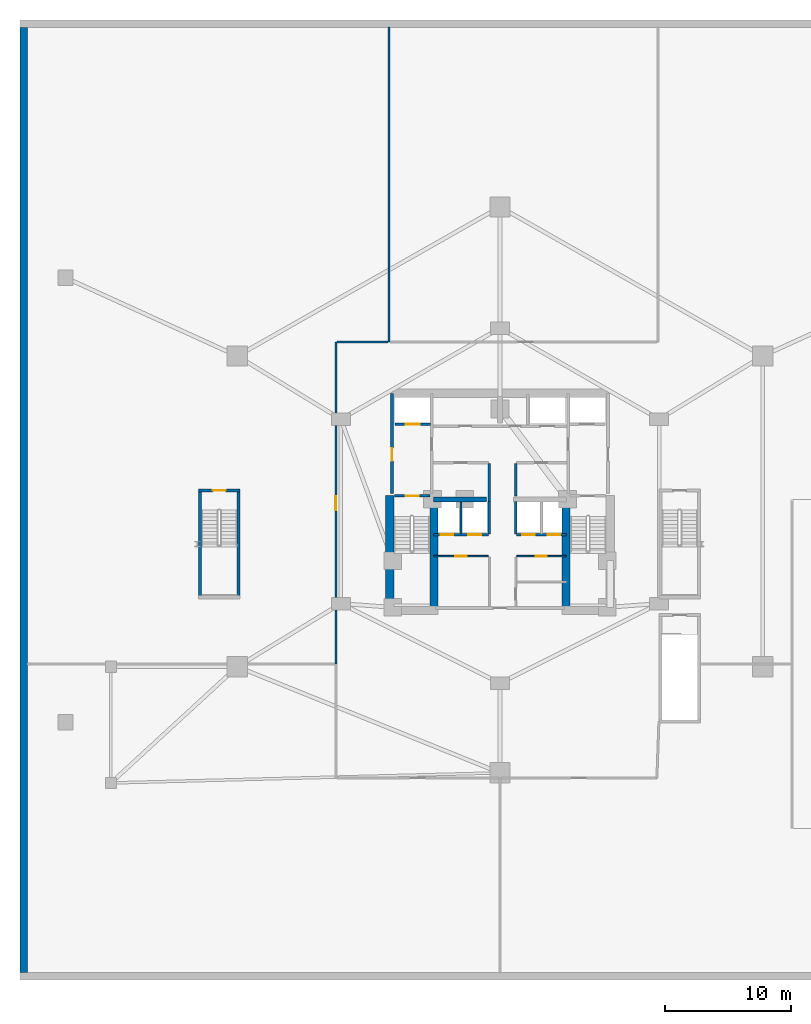
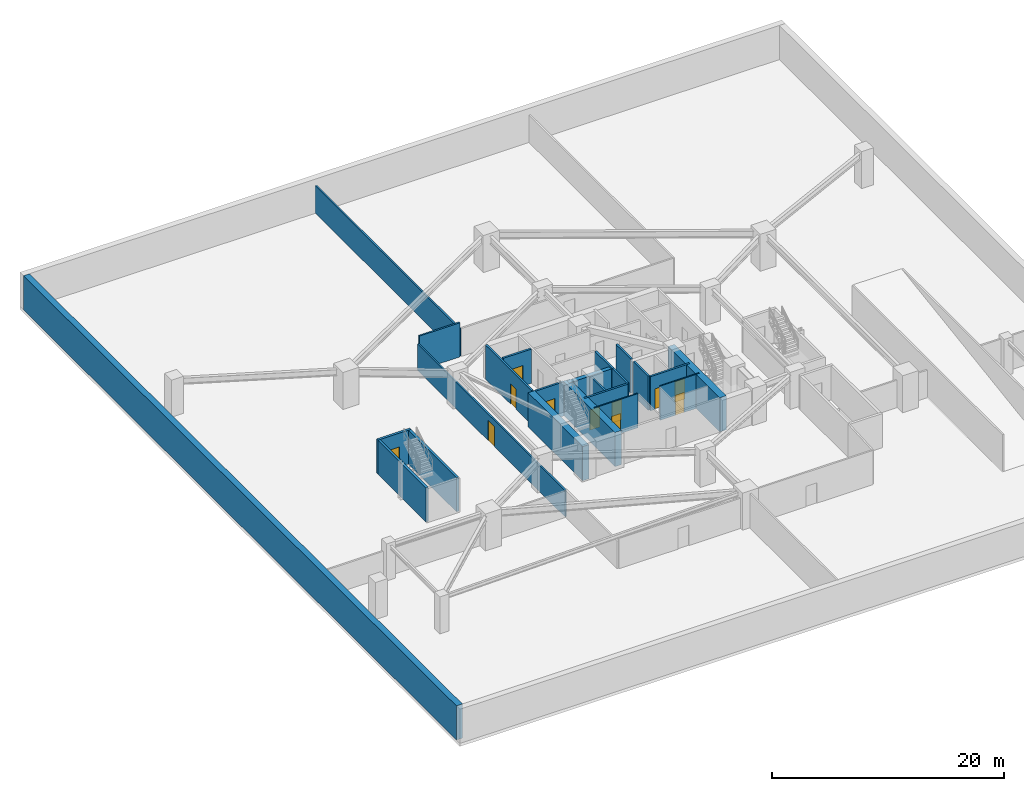
# One storey, part 7 of 10: 23 walls, 11 doors, 11 openings.
"""IFC4 building model written with IfcOpenShell, lengths in metres."""

import ifcopenshell
import ifcopenshell.guid

model = None  # the IFC model being written
_history = None  # IfcOwnerHistory: only IFC2X3 demands one
_inside = {}  # id of a spatial element -> (the spatial element, [elements in it])
_under = {}  # id of a project, library or spatial element -> (it, [spatial elements below it])
_declared = {}  # id of a project -> (the project, [libraries it declares])
_typed = {}  # id of a type object -> (the type object, [elements of that type])
_made_of = {}  # id of a material, layer set ... -> (it, [elements and type objects made of it])


def new_model(schema):
    """Start an empty IFC model of exactly this schema.

    Asked for "IFC4X3", IfcOpenShell would pick the latest addendum, in which some entities
    have other attributes; the version numbers below select the first issue.
    IFC2X3 requires an IfcOwnerHistory on every rooted entity: one is made here for all.
    """
    global model, _history
    if schema == "IFC4X3":
        model = ifcopenshell.file(schema_version=(4, 3, 0, 0))
    else:
        model = ifcopenshell.file(schema=schema)
    _inside.clear()
    _under.clear()
    _declared.clear()
    _typed.clear()
    _made_of.clear()
    _history = None
    if model.schema == "IFC2X3":
        org = make("IfcOrganization", Name="unknown")
        user = make(
            "IfcPersonAndOrganization",
            ThePerson=make("IfcPerson", FamilyName="unknown"),
            TheOrganization=org,
        )
        app = make(
            "IfcApplication",
            ApplicationDeveloper=org,
            Version="unknown",
            ApplicationFullName="unknown",
            ApplicationIdentifier="unknown",
        )
        _history = make(
            "IfcOwnerHistory",
            OwningUser=user,
            OwningApplication=app,
            ChangeAction="ADDED",
            CreationDate=0,
        )
    return model


def make(cls, **values):
    """One entity of the class cls with the attributes given. An attribute that is None is left unset."""
    return model.create_entity(
        cls, **{name: value for name, value in values.items() if value is not None}
    )


def rooted(cls, **values):
    """An entity with a GlobalId (a new one), such as an element, a storey or a relation."""
    return make(cls, GlobalId=ifcopenshell.guid.new(), OwnerHistory=_history, **values)


def si_unit(unit_type, name, prefix=None):
    """IfcSIUnit, for example si_unit("LENGTHUNIT", "METRE", prefix="MILLI")."""
    return make("IfcSIUnit", UnitType=unit_type, Prefix=prefix, Name=name)


def assignment(units):
    """IfcUnitAssignment: the units of a project."""
    return None if units is None else make("IfcUnitAssignment", Units=units)


def point(xyz):
    """IfcCartesianPoint."""
    return None if xyz is None else make("IfcCartesianPoint", Coordinates=xyz)


def direction(xyz):
    """IfcDirection."""
    return None if xyz is None else make("IfcDirection", DirectionRatios=xyz)


def frame(location, z_axis=None, x_axis=None):
    """IfcAxis2Placement3D, a coordinate frame: its origin and axes. An axis left out is left unset."""
    return make(
        "IfcAxis2Placement3D",
        Location=point(location),
        Axis=direction(z_axis),
        RefDirection=direction(x_axis),
    )


def frame_2d(location, x_axis=None):
    """IfcAxis2Placement2D, a coordinate frame in the plane: its origin and x axis."""
    return make(
        "IfcAxis2Placement2D", Location=point(location), RefDirection=direction(x_axis)
    )


def origin():
    """The frame at (0, 0, 0) with its axes left unset."""
    return frame((0.0, 0.0, 0.0))


def place(relative_to, where):
    """IfcLocalPlacement: puts the frame where relative to a parent placement (None: the world)."""
    return make(
        "IfcLocalPlacement", PlacementRelTo=relative_to, RelativePlacement=where
    )


def context(
    kind, dimensions, precision=None, world=None, true_north=None, identifier=None
):
    """IfcGeometricRepresentationContext, for example the 3D "Model" context."""
    return make(
        "IfcGeometricRepresentationContext",
        ContextIdentifier=identifier,
        ContextType=kind,
        CoordinateSpaceDimension=dimensions,
        Precision=precision,
        WorldCoordinateSystem=world,
        TrueNorth=true_north,
    )


def subcontext(parent, identifier, kind, view, scale=None):
    """IfcGeometricRepresentationSubContext, for example "Body" below "Model"."""
    return make(
        "IfcGeometricRepresentationSubContext",
        ContextIdentifier=identifier,
        ContextType=kind,
        ParentContext=parent,
        TargetScale=scale,
        TargetView=view,
    )


def project(units=None, contexts=None):
    """IfcProject with its units and contexts."""
    return rooted(
        "IfcProject",
        Name="project",
        RepresentationContexts=contexts,
        UnitsInContext=assignment(units),
    )


def spatial(cls, under=None, at=None, **own):
    """A site, building, storey or space (cls), placed at a placement, below another one or the project."""
    s = rooted(cls, ObjectPlacement=at, **own)
    if under is not None:
        _under.setdefault(under.id(), (under, []))[1].append(s)
    return s


def profile(cls, at=None, kind="AREA", **sizes):
    """A parametric profile (cls). Its sizes go by their IFC names, for example OverallWidth=200.0."""
    return make(cls, ProfileType=kind, Position=at, **sizes)


def rectangle(**sizes):
    """IfcRectangleProfileDef."""
    return profile("IfcRectangleProfileDef", **sizes)


def extrude(swept, where, along, depth):
    """IfcExtrudedAreaSolid: the profile swept, set in the frame where, extruded along a direction by depth."""
    return make(
        "IfcExtrudedAreaSolid",
        SweptArea=swept,
        Position=where,
        ExtrudedDirection=direction(along),
        Depth=depth,
    )


def shape(context_of_items, identifier, shape_type, items):
    """IfcShapeRepresentation: the items that make up one representation, for example the "Body"."""
    return make(
        "IfcShapeRepresentation",
        ContextOfItems=context_of_items,
        RepresentationIdentifier=identifier,
        RepresentationType=shape_type,
        Items=items,
    )


def material(Name=None, Category=None):
    """IfcMaterial."""
    return make("IfcMaterial", Name=Name, Category=Category)


def layer(
    of_material, thickness, ventilated=None, Name=None, Category=None, Priority=None
):
    """IfcMaterialLayer: one layer of a wall or slab, of a material (None: an air gap)."""
    return make(
        "IfcMaterialLayer",
        Material=of_material,
        LayerThickness=thickness,
        IsVentilated=ventilated,
        Name=Name,
        Category=Category,
        Priority=Priority,
    )


def layer_set(layers, Name=None):
    """IfcMaterialLayerSet."""
    return make("IfcMaterialLayerSet", MaterialLayers=layers, LayerSetName=Name)


def made_of(thing, what):
    """Note that an element or type object is made of a material, layer set ...; save() writes the relation."""
    if what is not None:
        _made_of.setdefault(what.id(), (what, []))[1].append(thing)
    return thing


def type_object(cls, material=None, **own):
    """A type object (cls), such as IfcWallType, which elements share."""
    return made_of(rooted(cls, **own), material)


def element(
    cls,
    number,
    at=None,
    inside=None,
    cuts=None,
    type_object=None,
    material=None,
    context=None,
    identifier="Body",
    shape_type=None,
    held_by="IfcProductDefinitionShape",
    body=None,
    shapes=None,
    **own,
):
    """One element of the class cls, such as IfcWall. Its Tag is "e" and its number.

    at: its placement. inside: the storey or other place that contains it. cuts: it is an
    opening in that element (IfcRelVoidsElement). A single representation is given by context,
    identifier, shape_type and body (its items); several are given by shapes. held_by: the class
    of the entity that holds the representations. save() writes the other relations.
    """
    e = rooted(cls, Tag="e%d" % number, ObjectPlacement=at, **own)
    if body is not None:
        shapes = [shape(context, identifier, shape_type, body)]
    if shapes is not None:
        e.Representation = make(held_by, Representations=shapes)
    if inside is not None:
        _inside.setdefault(inside.id(), (inside, []))[1].append(e)
    if cuts is not None:
        rooted(
            "IfcRelVoidsElement", RelatingBuildingElement=cuts, RelatedOpeningElement=e
        )
    if type_object is not None:
        _typed.setdefault(type_object.id(), (type_object, []))[1].append(e)
    return made_of(e, material)


def fill(opening, filler):
    """IfcRelFillsElement: the door or window that sits in an opening."""
    return rooted(
        "IfcRelFillsElement",
        RelatingOpeningElement=opening,
        RelatedBuildingElement=filler,
    )


def aggregate(whole, parts):
    """IfcRelAggregates: a whole, such as a stair, and the parts it consists of."""
    return rooted("IfcRelAggregates", RelatingObject=whole, RelatedObjects=parts)


def save(model, path):
    """Write the relations noted so far, then the file.

    IfcRelAggregates (storeys below a building ...), IfcRelContainedInSpatialStructure (elements
    in a storey), IfcRelDefinesByType, IfcRelAssociatesMaterial and IfcRelDeclares: one each for
    every whole, place, type object, material and project.
    """
    for whole, parts in _under.values():
        aggregate(whole, parts)
    for where, things in _inside.values():
        rooted(
            "IfcRelContainedInSpatialStructure",
            RelatedElements=things,
            RelatingStructure=where,
        )
    for kind, things in _typed.values():
        rooted("IfcRelDefinesByType", RelatedObjects=things, RelatingType=kind)
    for what, things in _made_of.values():
        rooted("IfcRelAssociatesMaterial", RelatedObjects=things, RelatingMaterial=what)
    for by, libraries in _declared.values():
        rooted("IfcRelDeclares", RelatingContext=by, RelatedDefinitions=libraries)
    model.write(path)


model = new_model("IFC4")

# Units and contexts
model_context = context("Model", 3, precision=1e-05, world=origin(), true_north=direction((0.0, 1.0)))
body_context = subcontext(model_context, "Body", "Model", "MODEL_VIEW")
ifc_project = project(units=[si_unit("LENGTHUNIT", "METRE"), si_unit("AREAUNIT", "SQUARE_METRE"), si_unit("VOLUMEUNIT", "CUBIC_METRE"), si_unit("PLANEANGLEUNIT", "RADIAN"), si_unit("MASSUNIT", "GRAM", prefix="KILO")], contexts=[model_context])

# Site, building, storey
site_placement = place(None, origin())
site = spatial("IfcSite", under=ifc_project, at=site_placement, CompositionType="ELEMENT")
building_placement = place(site_placement, origin())
building = spatial("IfcBuilding", under=site, at=building_placement, Name="Miruveldt Soraemaru", CompositionType="ELEMENT")
storey_placement = place(building_placement, frame((0.0, 0.0, -3.89990234375)))
storey = spatial("IfcBuildingStorey", under=building, at=storey_placement, Name="B1", CompositionType="ELEMENT", Elevation=-3.89990234375)

# Wall
ifc_material_1 = material(Name="Concrete C70/85 (70 MPa)", Category="concrete")
ifc_layer_1 = layer(ifc_material_1, 0.5, Name="Concrete C70/85 (70 MPa)", Category="concrete")
ifc_layer_set_1 = layer_set([ifc_layer_1], Name="Concrete C70/85 (70 MPa)")
wall_type_1 = type_object("IfcWallType", Name="WALL-BW-500", PredefinedType="SHEAR", material=ifc_layer_set_1)
wall_1_placement = place(storey_placement, frame((38.75, 44.050048828125, 0.0), z_axis=(0.0, 0.0, 1.0), x_axis=(1.0, 0.0, 0.0)))
element("IfcWall", 1, at=wall_1_placement, inside=storey, type_object=wall_type_1, Name="B1 Core Buttress Shear Wall BW", PredefinedType="SHEAR", context=body_context, shape_type="SweptSolid", body=[
    extrude(rectangle(XDim=4.199951171875, YDim=0.39990234375, at=frame_2d((2.10009765625, 0.0))), origin(), (0.0, 0.0, 1.0), 3.599853515625),
])

# Wall, opening, door
ifc_material_2 = material(Name="Concrete C50/60 (50 MPa)", Category="concrete")
ifc_layer_2 = layer(ifc_material_2, 0.419921875, Name="Concrete C50/60 (50 MPa)", Category="concrete")
ifc_layer_set_2 = layer_set([ifc_layer_2], Name="Concrete C50/60 (50 MPa)")
wall_type_2 = type_object("IfcWallType", Name="WALL-CW-420", PredefinedType="SHEAR", material=ifc_layer_set_2)
wall_2_placement = place(storey_placement, frame((20.1298828125, 44.75, 0.0), z_axis=(0.0, 0.0, 1.0), x_axis=(1.0, 0.0, 0.0)))
wall_2 = element("IfcWall", 2, at=wall_2_placement, inside=storey, type_object=wall_type_2, Name="B1 Protected Exit Stair ST-3 Structural Shaft Wall N", PredefinedType="SHEAR", context=body_context, shape_type="SweptSolid", body=[
    extrude(rectangle(XDim=3.2900390625, YDim=0.239990234375, at=frame_2d((1.64501953125, 0.0))), origin(), (0.0, 0.0, 1.0), 3.599853515625),
])
opening_1_placement = place(wall_2_placement, frame((1.14501953125, 0.0, 0.0)))
opening_1 = element("IfcOpeningElement", 3, at=opening_1_placement, cuts=wall_2, Name="Opening FD1", PredefinedType="OPENING", context=body_context, shape_type="SweptSolid", body=[
    extrude(rectangle(XDim=1.0, YDim=2.14990234375, at=frame_2d((0.5, 1.074951171875))), frame((0.0, 0.1298828125, 0.0), z_axis=(0.0, -1.0, 0.0), x_axis=(1.0, 0.0, 0.0)), (0.0, 0.0, 1.0), 0.260009765625),
])
ifc_material_3 = material(Name="Anodised aluminium EN AW-6063 T6", Category="aluminium")
door_type_1 = type_object("IfcDoorType", Name="DOOR-FD1-1000", OperationType="NOTDEFINED", PredefinedType="DOOR", material=ifc_material_3)
door_1_placement = place(opening_1_placement, frame((1.0, 0.0, 0.0), z_axis=(0.0, 0.0, 1.0), x_axis=(-1.0, 0.0, 0.0)))
door_1 = element("IfcDoor", 4, at=door_1_placement, inside=storey, type_object=door_type_1, Name="B1 Protected Exit Stair ST-3 Fire Door", OperationType="SINGLE_SWING_LEFT", OverallHeight=2.14990234375, OverallWidth=1.0, PredefinedType="DOOR", context=body_context, shape_type="SweptSolid", body=[
    extrude(rectangle(XDim=1.0, YDim=2.14990234375, at=frame_2d((0.5, 1.074951171875))), frame((0.0, 0.02490234375, 0.0), z_axis=(0.0, -1.0, 0.0), x_axis=(1.0, 0.0, 0.0)), (0.0, 0.0, 1.0), 0.050048828125),
])
fill(opening_1, door_1)

# Walls
for number, where, z_axis, x_axis, name in (
    (5, (20.25, 36.35009765625, 0.0), (0.0, 0.0, 1.0), (0.0, 1.0, 0.0), "B1 Protected Exit Stair ST-3 Structural Shaft Wall W"),
    (6, (23.300048828125, 36.35009765625, 0.0), (0.0, 0.0, 1.0), (0.0, 1.0, 0.0), "B1 Protected Exit Stair ST-3 Structural Shaft Wall E"),
):
    element("IfcWall", number, at=place(storey_placement, frame(where, z_axis=z_axis, x_axis=x_axis)), inside=storey, type_object=wall_type_2, Name=name, PredefinedType="SHEAR", context=body_context, shape_type="SweptSolid", body=[
        extrude(rectangle(XDim=8.349853515625, YDim=0.239990234375, at=frame_2d((4.1748046875, 0.0))), origin(), (0.0, 0.0, 1.0), 3.599853515625),
    ])
ifc_material_4 = material(Name="Concrete C80/95 (80 MPa)", Category="concrete")
ifc_layer_3 = layer(ifc_material_4, 0.64990234375, Name="Concrete C80/95 (80 MPa)", Category="concrete")
ifc_layer_set_3 = layer_set([ifc_layer_3], Name="Concrete C80/95 (80 MPa)")
wall_type_3 = type_object("IfcWallType", Name="WALL-CW-650", PredefinedType="SHEAR", material=ifc_layer_set_3)
wall_3_placement = place(storey_placement, frame((35.27490234375, 34.949951171875, 0.0), z_axis=(0.0, 0.0, 1.0), x_axis=(0.0, 1.0, 0.0)))
element("IfcWall", 7, at=wall_3_placement, inside=storey, type_object=wall_type_3, Name="B1 Central Core Shear Wall W1", PredefinedType="SHEAR", context=body_context, shape_type="SweptSolid", body=[
    extrude(rectangle(XDim=9.400146484375, YDim=0.64990234375, at=frame_2d((4.7001953125, 0.0))), origin(), (0.0, 0.0, 1.0), 3.599853515625),
])
for number, where, z_axis, x_axis, name in (
    (8, (38.77490234375, 35.39990234375, 0.0), (0.0, 0.0, 1.0), (0.0, 1.0, 0.0), "B1 Central Core Shear Wall SW-INT"),
    (9, (49.22509765625, 35.39990234375, 0.0), (0.0, 0.0, 1.0), (0.0, 1.0, 0.0), "B1 Central Core Shear Wall SE-INT"),
):
    element("IfcWall", number, at=place(storey_placement, frame(where, z_axis=z_axis, x_axis=x_axis)), inside=storey, type_object=wall_type_3, Name=name, PredefinedType="SHEAR", context=body_context, shape_type="SweptSolid", body=[
        extrude(rectangle(XDim=8.9501953125, YDim=0.64990234375, at=frame_2d((4.47509765625, 0.0))), origin(), (0.0, 0.0, 1.0), 3.599853515625),
    ])

# Wall, opening, door
ifc_material_5 = material(Name="Gypsum plasterboard lining", Category="gypsum")
ifc_layer_4 = layer(ifc_material_5, 0.1201171875, Name="Gypsum plasterboard lining", Category="gypsum")
ifc_layer_set_4 = layer_set([ifc_layer_4], Name="Gypsum plasterboard lining")
wall_type_4 = type_object("IfcWallType", Name="WALL-INT-P120", PredefinedType="PARTITIONING", material=ifc_layer_set_4)
wall_4_placement = place(storey_placement, frame((38.75, 39.550048828125, 0.0), z_axis=(0.0, 0.0, 1.0), x_axis=(1.0, 0.0, 0.0)))
wall_4 = element("IfcWall", 10, at=wall_4_placement, inside=storey, type_object=wall_type_4, Name="B1 Core Compartment Wall CSW-N", PredefinedType="PARTITIONING", context=body_context, shape_type="SweptSolid", body=[
    extrude(rectangle(XDim=4.330078125, YDim=0.1201171875, at=frame_2d((2.1650390625, 0.0))), origin(), (0.0, 0.0, 1.0), 3.599853515625),
])
opening_2_placement = place(wall_4_placement, frame((1.68994140625, 0.0, 0.0)))
opening_2 = element("IfcOpeningElement", 11, at=opening_2_placement, cuts=wall_4, Name="Opening D3A", PredefinedType="OPENING", context=body_context, shape_type="SweptSolid", body=[
    extrude(rectangle(XDim=0.919921875, YDim=2.10009765625, at=frame_2d((0.4599609375, 1.050048828125))), frame((0.0, 0.070068359375, 0.0), z_axis=(0.0, -1.0, 0.0), x_axis=(1.0, 0.0, 0.0)), (0.0, 0.0, 1.0), 0.14013671875),
])
door_type_2 = type_object("IfcDoorType", Name="DOOR-INT-920", OperationType="NOTDEFINED", PredefinedType="DOOR", material=ifc_material_3)
door_2_placement = place(opening_2_placement, origin())
door_2 = element("IfcDoor", 12, at=door_2_placement, inside=storey, type_object=door_type_2, Name="B1 Fire Door", OperationType="SINGLE_SWING_LEFT", OverallHeight=2.10009765625, OverallWidth=0.919921875, PredefinedType="DOOR", context=body_context, shape_type="SweptSolid", body=[
    extrude(rectangle(XDim=0.919921875, YDim=2.10009765625, at=frame_2d((0.4599609375, 1.050048828125))), frame((0.0, 0.02490234375, 0.0), z_axis=(0.0, -1.0, 0.0), x_axis=(1.0, 0.0, 0.0)), (0.0, 0.0, 1.0), 0.050048828125),
])
fill(opening_2, door_2)

wall_5_placement = place(storey_placement, frame((45.320068359375, 39.550048828125, 0.0), z_axis=(0.0, 0.0, 1.0), x_axis=(1.0, 0.0, 0.0)))
wall_5 = element("IfcWall", 13, at=wall_5_placement, inside=storey, type_object=wall_type_4, Name="B1 Core Compartment Wall CSE-N", PredefinedType="PARTITIONING", context=body_context, shape_type="SweptSolid", body=[
    extrude(rectangle(XDim=3.929931640625, YDim=0.1201171875, at=frame_2d((1.96484375, 0.0))), origin(), (0.0, 0.0, 1.0), 3.599853515625),
])
opening_3_placement = place(wall_5_placement, frame((1.510009765625, 0.0, 0.0)))
opening_3 = element("IfcOpeningElement", 14, at=opening_3_placement, cuts=wall_5, Name="Opening D4", PredefinedType="OPENING", context=body_context, shape_type="SweptSolid", body=[
    extrude(rectangle(XDim=0.8798828125, YDim=2.10009765625, at=frame_2d((0.43994140625, 1.050048828125))), frame((0.0, 0.070068359375, 0.0), z_axis=(0.0, -1.0, 0.0), x_axis=(1.0, 0.0, 0.0)), (0.0, 0.0, 1.0), 0.14013671875),
])
door_type_3 = type_object("IfcDoorType", Name="DOOR-INT-880", OperationType="NOTDEFINED", PredefinedType="DOOR", material=ifc_material_3)
door_3_placement = place(opening_3_placement, origin())
door_3 = element("IfcDoor", 15, at=door_3_placement, inside=storey, type_object=door_type_3, Name="B1 Fire Door", OperationType="SINGLE_SWING_LEFT", OverallHeight=2.10009765625, OverallWidth=0.8798828125, PredefinedType="DOOR", context=body_context, shape_type="SweptSolid", body=[
    extrude(rectangle(XDim=0.8798828125, YDim=2.10009765625, at=frame_2d((0.43994140625, 1.050048828125))), frame((0.0, 0.02490234375, 0.0), z_axis=(0.0, -1.0, 0.0), x_axis=(1.0, 0.0, 0.0)), (0.0, 0.0, 1.0), 0.050048828125),
])
fill(opening_3, door_3)

ifc_material_6 = material(Name="Concrete C40/50 (40 MPa)", Category="concrete")
ifc_layer_5 = layer(ifc_material_6, 0.159912109375, Name="Concrete C40/50 (40 MPa)", Category="concrete")
ifc_layer_set_5 = layer_set([ifc_layer_5], Name="Concrete C40/50 (40 MPa)")
wall_type_5 = type_object("IfcWallType", Name="WALL-INT-RC160", PredefinedType="SOLIDWALL", material=ifc_layer_set_5)
wall_6_placement = place(storey_placement, frame((31.0, 56.5, 0.0), z_axis=(0.0, 0.0, 1.0), x_axis=(0.0, -1.0, 0.0)))
wall_6 = element("IfcWall", 16, at=wall_6_placement, inside=storey, type_object=wall_type_5, Name="B1 Partition Wall 5", PredefinedType="SOLIDWALL", context=body_context, shape_type="SweptSolid", body=[
    extrude(rectangle(XDim=25.5, YDim=0.159912109375, at=frame_2d((12.75, 0.0))), origin(), (0.0, 0.0, 1.0), 2.787841796875),
])
opening_4_placement = place(wall_6_placement, frame((12.199951171875, 0.0, 0.0)))
opening_4 = element("IfcOpeningElement", 17, at=opening_4_placement, cuts=wall_6, Name="Opening FD1A", PredefinedType="OPENING", context=body_context, shape_type="SweptSolid", body=[
    extrude(rectangle(XDim=1.10009765625, YDim=2.14990234375, at=frame_2d((0.550048828125, 1.074951171875))), frame((0.0, 0.08984375, 0.0), z_axis=(0.0, -1.0, 0.0), x_axis=(1.0, 0.0, 0.0)), (0.0, 0.0, 1.0), 0.179931640625),
])
door_type_4 = type_object("IfcDoorType", Name="DOOR-FD1-1100", OperationType="NOTDEFINED", PredefinedType="DOOR", material=ifc_material_3)
door_4_placement = place(opening_4_placement, origin())
door_4 = element("IfcDoor", 18, at=door_4_placement, inside=storey, type_object=door_type_4, Name="B1 High-Voltage Electrical Substation Fire Door", OperationType="SINGLE_SWING_LEFT", OverallHeight=2.14990234375, OverallWidth=1.10009765625, PredefinedType="DOOR", context=body_context, shape_type="SweptSolid", body=[
    extrude(rectangle(XDim=1.10009765625, YDim=2.14990234375, at=frame_2d((0.550048828125, 1.074951171875))), frame((0.0, 0.02490234375, 0.0), z_axis=(0.0, -1.0, 0.0), x_axis=(1.0, 0.0, 0.0)), (0.0, 0.0, 1.0), 0.050048828125),
])
fill(opening_4, door_4)

# Walls
wall_7_placement = place(storey_placement, frame((35.199951171875, 56.5, 0.0), z_axis=(0.0, 0.0, 1.0), x_axis=(0.0, 1.0, 0.0)))
element("IfcWall", 19, at=wall_7_placement, inside=storey, type_object=wall_type_5, Name="B1 Partition Wall 11", PredefinedType="SOLIDWALL", context=body_context, shape_type="SweptSolid", body=[
    extrude(rectangle(XDim=24.949951171875, YDim=0.159912109375, at=frame_2d((12.47509765625, 0.0))), origin(), (0.0, 0.0, 1.0), 2.887939453125),
])
wall_8_placement = place(storey_placement, frame((35.1201171875, 56.5, 0.0), z_axis=(0.0, 0.0, 1.0), x_axis=(-1.0, 0.0, 0.0)))
element("IfcWall", 20, at=wall_8_placement, inside=storey, type_object=wall_type_5, Name="B1 Partition Wall 4", PredefinedType="SOLIDWALL", context=body_context, shape_type="SweptSolid", body=[
    extrude(rectangle(XDim=4.0400390625, YDim=0.159912109375, at=frame_2d((2.02001953125, 0.0))), origin(), (0.0, 0.0, 1.0), 3.599853515625),
])
wall_9_placement = place(storey_placement, frame((40.89990234375, 41.320068359375, 0.0), z_axis=(0.0, 0.0, 1.0), x_axis=(0.0, 1.0, 0.0)))
element("IfcWall", 21, at=wall_9_placement, inside=storey, type_object=wall_type_5, Name="B1 Core Compartment Wall PLL-DW", PredefinedType="SOLIDWALL", context=body_context, shape_type="SweptSolid", body=[
    extrude(rectangle(XDim=2.530029296875, YDim=0.159912109375, at=frame_2d((1.26513671875, 0.0))), origin(), (0.0, 0.0, 1.0), 3.599853515625),
])

# Wall, opening, door
ifc_layer_6 = layer(ifc_material_6, 0.199951171875, Name="Concrete C40/50 (40 MPa)", Category="concrete")
ifc_layer_set_6 = layer_set([ifc_layer_6], Name="Concrete C40/50 (40 MPa)")
wall_type_6 = type_object("IfcWallType", Name="WALL-INT-RC200", PredefinedType="SOLIDWALL", material=ifc_layer_set_6)
wall_10_placement = place(storey_placement, frame((35.449951171875, 44.5, 0.0), z_axis=(0.0, 0.0, 1.0), x_axis=(0.0, 1.0, 0.0)))
wall_10 = element("IfcWall", 22, at=wall_10_placement, inside=storey, type_object=wall_type_6, Name="B1 Core Compartment Wall FFW-OUT", PredefinedType="SOLIDWALL", context=body_context, shape_type="SweptSolid", body=[
    extrude(rectangle(XDim=7.919921875, YDim=0.199951171875, at=frame_2d((3.9599609375, 0.0))), origin(), (0.0, 0.0, 1.0), 3.599853515625),
])
opening_5_placement = place(wall_10_placement, frame((2.60009765625, 0.0, 0.0)))
opening_5 = element("IfcOpeningElement", 23, at=opening_5_placement, cuts=wall_10, Name="Opening FD1", PredefinedType="OPENING", context=body_context, shape_type="SweptSolid", body=[
    extrude(rectangle(XDim=1.0, YDim=2.14990234375, at=frame_2d((0.5, 1.074951171875))), frame((0.0, 0.10986328125, 0.0), z_axis=(0.0, -1.0, 0.0), x_axis=(1.0, 0.0, 0.0)), (0.0, 0.0, 1.0), 0.219970703125),
])
door_5_placement = place(opening_5_placement, origin())
door_5 = element("IfcDoor", 24, at=door_5_placement, inside=storey, type_object=door_type_1, Name="B1 West Firefighting Lobby Exit Door", OperationType="SINGLE_SWING_LEFT", OverallHeight=2.14990234375, OverallWidth=1.0, PredefinedType="DOOR", context=body_context, shape_type="SweptSolid", body=[
    extrude(rectangle(XDim=1.0, YDim=2.14990234375, at=frame_2d((0.5, 1.074951171875))), frame((0.0, 0.02490234375, 0.0), z_axis=(0.0, -1.0, 0.0), x_axis=(1.0, 0.0, 0.0)), (0.0, 0.0, 1.0), 0.050048828125),
])
fill(opening_5, door_5)

# Wall, openings, doors
wall_11_placement = place(storey_placement, frame((38.75, 41.25, 0.0), z_axis=(0.0, 0.0, 1.0), x_axis=(1.0, 0.0, 0.0)))
wall_11 = element("IfcWall", 25, at=wall_11_placement, inside=storey, type_object=wall_type_6, Name="B1 Core Compartment Wall LBW-S", PredefinedType="SOLIDWALL", context=body_context, shape_type="SweptSolid", body=[
    extrude(rectangle(XDim=4.330078125, YDim=0.199951171875, at=frame_2d((2.1650390625, 0.0))), origin(), (0.0, 0.0, 1.0), 3.599853515625),
])
opening_6_placement = place(wall_11_placement, frame((0.550048828125, 0.0, 0.0)))
opening_6 = element("IfcOpeningElement", 26, at=opening_6_placement, cuts=wall_11, Name="Opening LD1B", PredefinedType="OPENING", context=body_context, shape_type="SweptSolid", body=[
    extrude(rectangle(XDim=1.0, YDim=2.14990234375, at=frame_2d((0.5, 1.074951171875))), frame((0.0, 0.10986328125, 0.0), z_axis=(0.0, -1.0, 0.0), x_axis=(1.0, 0.0, 0.0)), (0.0, 0.0, 1.0), 0.219970703125),
])
opening_7_placement = place(wall_11_placement, frame((2.75, 0.0, 0.0)))
opening_7 = element("IfcOpeningElement", 27, at=opening_7_placement, cuts=wall_11, Name="Opening LD1B", PredefinedType="OPENING", context=body_context, shape_type="SweptSolid", body=[
    extrude(rectangle(XDim=1.0, YDim=2.14990234375, at=frame_2d((0.5, 1.074951171875))), frame((0.0, 0.10986328125, 0.0), z_axis=(0.0, -1.0, 0.0), x_axis=(1.0, 0.0, 0.0)), (0.0, 0.0, 1.0), 0.219970703125),
])
door_type_5 = type_object("IfcDoorType", Name="DOOR-LD1-1000", OperationType="SLIDING_TO_LEFT", PredefinedType="DOOR", material=ifc_material_3)
door_6_placement = place(opening_6_placement, frame((1.0, 0.0, 0.0), z_axis=(0.0, 0.0, 1.0), x_axis=(-1.0, 0.0, 0.0)))
door_6 = element("IfcDoor", 28, at=door_6_placement, inside=storey, type_object=door_type_5, Name="B1 PL-L1 Landing Door", OperationType="SLIDING_TO_LEFT", OverallHeight=2.14990234375, OverallWidth=1.0, PredefinedType="DOOR", context=body_context, shape_type="SweptSolid", body=[
    extrude(rectangle(XDim=1.0, YDim=2.14990234375, at=frame_2d((0.5, 1.074951171875))), frame((0.0, 0.02490234375, 0.0), z_axis=(0.0, -1.0, 0.0), x_axis=(1.0, 0.0, 0.0)), (0.0, 0.0, 1.0), 0.050048828125),
])
fill(opening_6, door_6)
door_7_placement = place(opening_7_placement, frame((1.0, 0.0, 0.0), z_axis=(0.0, 0.0, 1.0), x_axis=(-1.0, 0.0, 0.0)))
door_7 = element("IfcDoor", 29, at=door_7_placement, inside=storey, type_object=door_type_5, Name="B1 PL-L2 Landing Door", OperationType="SLIDING_TO_LEFT", OverallHeight=2.14990234375, OverallWidth=1.0, PredefinedType="DOOR", context=body_context, shape_type="SweptSolid", body=[
    extrude(rectangle(XDim=1.0, YDim=2.14990234375, at=frame_2d((0.5, 1.074951171875))), frame((0.0, 0.02490234375, 0.0), z_axis=(0.0, -1.0, 0.0), x_axis=(1.0, 0.0, 0.0)), (0.0, 0.0, 1.0), 0.050048828125),
])
fill(opening_7, door_7)

wall_12_placement = place(storey_placement, frame((45.320068359375, 41.25, 0.0), z_axis=(0.0, 0.0, 1.0), x_axis=(1.0, 0.0, 0.0)))
wall_12 = element("IfcWall", 30, at=wall_12_placement, inside=storey, type_object=wall_type_6, Name="B1 Core Compartment Wall LBE-S", PredefinedType="SOLIDWALL", context=body_context, shape_type="SweptSolid", body=[
    extrude(rectangle(XDim=3.929931640625, YDim=0.199951171875, at=frame_2d((1.96484375, 0.0))), origin(), (0.0, 0.0, 1.0), 3.599853515625),
])
opening_8_placement = place(wall_12_placement, frame((0.449951171875, 0.0, 0.0)))
opening_8 = element("IfcOpeningElement", 31, at=opening_8_placement, cuts=wall_12, Name="Opening LD1B", PredefinedType="OPENING", context=body_context, shape_type="SweptSolid", body=[
    extrude(rectangle(XDim=1.0, YDim=2.14990234375, at=frame_2d((0.5, 1.074951171875))), frame((0.0, 0.10986328125, 0.0), z_axis=(0.0, -1.0, 0.0), x_axis=(1.0, 0.0, 0.0)), (0.0, 0.0, 1.0), 0.219970703125),
])
opening_9_placement = place(wall_12_placement, frame((2.449951171875, 0.0, 0.0)))
opening_9 = element("IfcOpeningElement", 32, at=opening_9_placement, cuts=wall_12, Name="Opening LD1B", PredefinedType="OPENING", context=body_context, shape_type="SweptSolid", body=[
    extrude(rectangle(XDim=1.0, YDim=2.14990234375, at=frame_2d((0.5, 1.074951171875))), frame((0.0, 0.10986328125, 0.0), z_axis=(0.0, -1.0, 0.0), x_axis=(1.0, 0.0, 0.0)), (0.0, 0.0, 1.0), 0.219970703125),
])
door_8_placement = place(opening_8_placement, frame((1.0, 0.0, 0.0), z_axis=(0.0, 0.0, 1.0), x_axis=(-1.0, 0.0, 0.0)))
door_8 = element("IfcDoor", 33, at=door_8_placement, inside=storey, type_object=door_type_5, Name="B1 PL-L3 Landing Door", OperationType="SLIDING_TO_LEFT", OverallHeight=2.14990234375, OverallWidth=1.0, PredefinedType="DOOR", context=body_context, shape_type="SweptSolid", body=[
    extrude(rectangle(XDim=1.0, YDim=2.14990234375, at=frame_2d((0.5, 1.074951171875))), frame((0.0, 0.02490234375, 0.0), z_axis=(0.0, -1.0, 0.0), x_axis=(1.0, 0.0, 0.0)), (0.0, 0.0, 1.0), 0.050048828125),
])
fill(opening_8, door_8)
door_9_placement = place(opening_9_placement, frame((1.0, 0.0, 0.0), z_axis=(0.0, 0.0, 1.0), x_axis=(-1.0, 0.0, 0.0)))
door_9 = element("IfcDoor", 34, at=door_9_placement, inside=storey, type_object=door_type_5, Name="B1 PL-L4 Landing Door", OperationType="SLIDING_TO_LEFT", OverallHeight=2.14990234375, OverallWidth=1.0, PredefinedType="DOOR", context=body_context, shape_type="SweptSolid", body=[
    extrude(rectangle(XDim=1.0, YDim=2.14990234375, at=frame_2d((0.5, 1.074951171875))), frame((0.0, 0.02490234375, 0.0), z_axis=(0.0, -1.0, 0.0), x_axis=(1.0, 0.0, 0.0)), (0.0, 0.0, 1.0), 0.050048828125),
])
fill(opening_9, door_9)

# Wall, opening, door
wall_13_placement = place(storey_placement, frame((35.64990234375, 44.320068359375, 0.0), z_axis=(0.0, 0.0, 1.0), x_axis=(1.0, 0.0, 0.0)))
wall_13 = element("IfcWall", 35, at=wall_13_placement, inside=storey, type_object=wall_type_6, Name="B1 Core Compartment Wall ST1-N", PredefinedType="SOLIDWALL", context=body_context, shape_type="SweptSolid", body=[
    extrude(rectangle(XDim=2.800048828125, YDim=0.199951171875, at=frame_2d((1.39990234375, 0.0))), origin(), (0.0, 0.0, 1.0), 3.599853515625),
])
opening_10_placement = place(wall_13_placement, frame((0.89990234375, 0.0, 0.0)))
opening_10 = element("IfcOpeningElement", 36, at=opening_10_placement, cuts=wall_13, Name="Opening FD1", PredefinedType="OPENING", context=body_context, shape_type="SweptSolid", body=[
    extrude(rectangle(XDim=1.0, YDim=2.14990234375, at=frame_2d((0.5, 1.074951171875))), frame((0.0, 0.10986328125, 0.0), z_axis=(0.0, -1.0, 0.0), x_axis=(1.0, 0.0, 0.0)), (0.0, 0.0, 1.0), 0.219970703125),
])
door_10_placement = place(opening_10_placement, frame((1.0, 0.0, 0.0), z_axis=(0.0, 0.0, 1.0), x_axis=(-1.0, 0.0, 0.0)))
door_10 = element("IfcDoor", 37, at=door_10_placement, inside=storey, type_object=door_type_1, Name="B1 Stair ST-1 Fire Door", OperationType="SINGLE_SWING_LEFT", OverallHeight=2.14990234375, OverallWidth=1.0, PredefinedType="DOOR", context=body_context, shape_type="SweptSolid", body=[
    extrude(rectangle(XDim=1.0, YDim=2.14990234375, at=frame_2d((0.5, 1.074951171875))), frame((0.0, 0.02490234375, 0.0), z_axis=(0.0, -1.0, 0.0), x_axis=(1.0, 0.0, 0.0)), (0.0, 0.0, 1.0), 0.050048828125),
])
fill(opening_10, door_10)

wall_14_placement = place(storey_placement, frame((35.679931640625, 50.0, 0.0), z_axis=(0.0, 0.0, 1.0), x_axis=(1.0, 0.0, 0.0)))
wall_14 = element("IfcWall", 38, at=wall_14_placement, inside=storey, type_object=wall_type_6, Name="B1 Core Compartment Wall FFL1-S", PredefinedType="SOLIDWALL", context=body_context, shape_type="SweptSolid", body=[
    extrude(rectangle(XDim=2.800048828125, YDim=0.199951171875, at=frame_2d((1.39990234375, 0.0))), origin(), (0.0, 0.0, 1.0), 3.599853515625),
])
opening_11_placement = place(wall_14_placement, frame((0.85009765625, 0.0, 0.0)))
opening_11 = element("IfcOpeningElement", 39, at=opening_11_placement, cuts=wall_14, Name="Opening LD2", PredefinedType="OPENING", context=body_context, shape_type="SweptSolid", body=[
    extrude(rectangle(XDim=1.10009765625, YDim=2.14990234375, at=frame_2d((0.550048828125, 1.074951171875))), frame((0.0, 0.10986328125, 0.0), z_axis=(0.0, -1.0, 0.0), x_axis=(1.0, 0.0, 0.0)), (0.0, 0.0, 1.0), 0.219970703125),
])
door_type_6 = type_object("IfcDoorType", Name="DOOR-LD2-1100", OperationType="SLIDING_TO_LEFT", PredefinedType="DOOR", material=ifc_material_3)
door_11_placement = place(opening_11_placement, origin())
door_11 = element("IfcDoor", 40, at=door_11_placement, inside=storey, type_object=door_type_6, Name="B1 FFL-1 Landing Door", OperationType="SLIDING_TO_LEFT", OverallHeight=2.14990234375, OverallWidth=1.10009765625, PredefinedType="DOOR", context=body_context, shape_type="SweptSolid", body=[
    extrude(rectangle(XDim=1.10009765625, YDim=2.14990234375, at=frame_2d((0.550048828125, 1.074951171875))), frame((0.0, 0.02490234375, 0.0), z_axis=(0.0, -1.0, 0.0), x_axis=(1.0, 0.0, 0.0)), (0.0, 0.0, 1.0), 0.050048828125),
])
fill(opening_11, door_11)

# Walls
wall_15_placement = place(storey_placement, frame((43.14990234375, 43.8798828125, 0.0), z_axis=(0.0, 0.0, 1.0), x_axis=(0.0, 1.0, 0.0)))
element("IfcWall", 41, at=wall_15_placement, inside=storey, type_object=wall_type_6, Name="B1 Core Compartment Wall SP-WB", PredefinedType="SOLIDWALL", context=body_context, shape_type="SweptSolid", body=[
    extrude(rectangle(XDim=3.0, YDim=0.199951171875, at=frame_2d((1.5, 0.0))), origin(), (0.0, 0.0, 1.0), 3.599853515625),
])
wall_16_placement = place(storey_placement, frame((45.25, 44.300048828125, 0.0), z_axis=(0.0, 0.0, 1.0), x_axis=(0.0, 1.0, 0.0)))
element("IfcWall", 42, at=wall_16_placement, inside=storey, type_object=wall_type_6, Name="B1 Core Compartment Wall SP-EB", PredefinedType="SOLIDWALL", context=body_context, shape_type="SweptSolid", body=[
    extrude(rectangle(XDim=2.579833984375, YDim=0.199951171875, at=frame_2d((1.2900390625, 0.0))), origin(), (0.0, 0.0, 1.0), 3.599853515625),
])
for number, where, z_axis, x_axis, name in (
    (43, (43.14990234375, 41.320068359375, 0.0), (0.0, 0.0, 1.0), (0.0, 1.0, 0.0), "B1 Core Compartment Wall SP-WC"),
    (44, (45.25, 41.320068359375, 0.0), (0.0, 0.0, 1.0), (0.0, 1.0, 0.0), "B1 Core Compartment Wall SP-EC"),
):
    element("IfcWall", number, at=place(storey_placement, frame(where, z_axis=z_axis, x_axis=x_axis)), inside=storey, type_object=wall_type_6, Name=name, PredefinedType="SOLIDWALL", context=body_context, shape_type="SweptSolid", body=[
        extrude(rectangle(XDim=2.559814453125, YDim=0.199951171875, at=frame_2d((1.27978515625, 0.0))), origin(), (0.0, 0.0, 1.0), 3.599853515625),
    ])
ifc_layer_7 = layer(ifc_material_2, 0.60009765625, Name="Concrete C50/60 (50 MPa)", Category="concrete")
ifc_layer_set_7 = layer_set([ifc_layer_7], Name="Concrete C50/60 (50 MPa)")
wall_type_7 = type_object("IfcWallType", Name="WALL-RET-600", PredefinedType="SOLIDWALL", material=ifc_layer_set_7)
wall_17_placement = place(storey_placement, frame((6.300048828125, 81.39990234375, 0.0), z_axis=(0.0, 0.0, 1.0), x_axis=(0.0, -1.0, 0.0)))
element("IfcWall", 45, at=wall_17_placement, inside=storey, type_object=wall_type_7, Name="B1 Perimeter Slurry Retaining Wall W", PredefinedType="SOLIDWALL", context=body_context, shape_type="SweptSolid", body=[
    extrude(rectangle(XDim=74.7998046875, YDim=0.60009765625, at=frame_2d((37.39990234375, 0.0))), origin(), (0.0, 0.0, 1.0), 3.599853515625),
])

save(model, "model.ifc")
